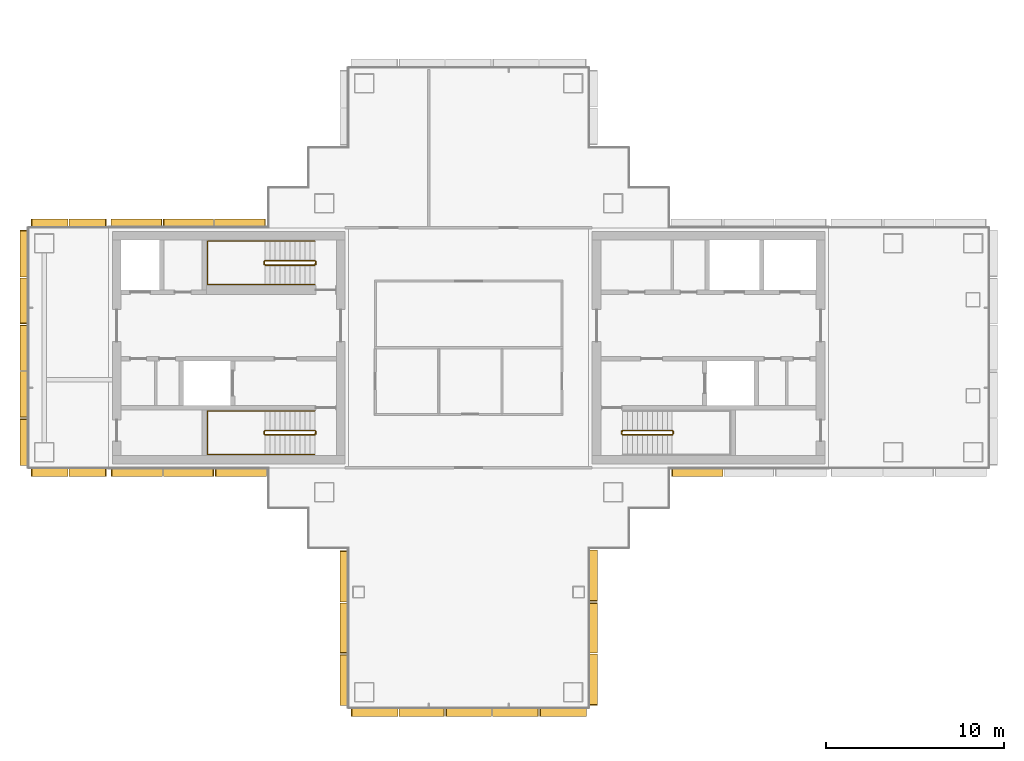
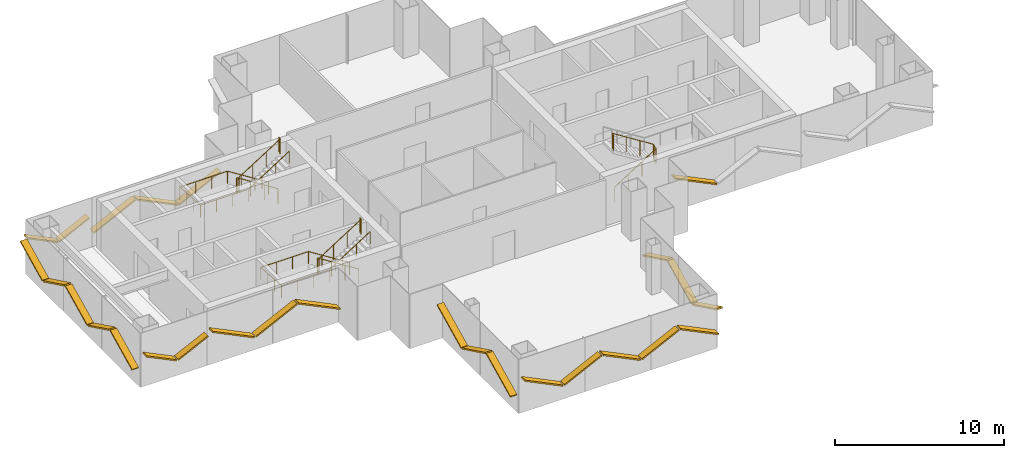
# One storey, part 14 of 16: 27 shading devices, 5 railings.
"""IFC4 building model written with IfcOpenShell, lengths in metres."""

from ifc_helpers import new_model, si_unit, direction, frame, origin, origin_2d, place, context, subcontext, project, spatial, rectangle, circle, extrude, material, material_profile, profile_set, type_object, element, save


model = new_model("IFC4")

# Units and contexts
model_context = context("Model", 3, precision=1e-05, world=origin(), true_north=direction((0.0, 1.0)))
body_context = subcontext(model_context, "Body", "Model", "MODEL_VIEW")
ifc_project = project(units=[si_unit("LENGTHUNIT", "METRE"), si_unit("AREAUNIT", "SQUARE_METRE"), si_unit("VOLUMEUNIT", "CUBIC_METRE"), si_unit("PLANEANGLEUNIT", "RADIAN"), si_unit("MASSUNIT", "GRAM", prefix="KILO")], contexts=[model_context])

# Site, building, storey
site_placement = place(None, origin())
site = spatial("IfcSite", under=ifc_project, at=site_placement, CompositionType="ELEMENT")
building_placement = place(site_placement, origin())
building = spatial("IfcBuilding", under=site, at=building_placement, Name="Shamsa Quay Exchange Towers", CompositionType="ELEMENT")
storey_placement = place(building_placement, frame((0.0, 0.0, 162.300048828125)))
storey = spatial("IfcBuildingStorey", under=building, at=storey_placement, Name="L38", CompositionType="ELEMENT", Elevation=162.300048828125)

# Shading devices
ifc_material_1 = material(Name="Aluminium EN AW-6063 T6, black anodised", Category="aluminium")
ifc_material_profile = material_profile(ifc_material_1, rectangle(XDim=0.449951171875, YDim=0.10009765625, at=origin_2d()), Name="FIN450x100")
ifc_profile_set = profile_set([ifc_material_profile], Name="Aluminium EN AW-6063 T6, black anodised")
shading_device_type = type_object("IfcShadingDeviceType", Name="FIN 450x100 BLACK ALUMINIUM", PredefinedType="USERDEFINED", material=ifc_profile_set)
shading_device_1_placement = place(storey_placement, frame((-40.764892578125, -11.43798828125, 2.2919921875), z_axis=(0.0, -0.898776621123, -0.438406871893), x_axis=(1.0, 0.0, 0.0)))
element("IfcShadingDevice", 1, at=shading_device_1_placement, inside=storey, type_object=shading_device_type, Name="FIN T1 chevron rib", ObjectType="FIN", PredefinedType="USERDEFINED", context=body_context, shape_type="SweptSolid", body=[
    extrude(rectangle(XDim=0.449951171875, YDim=0.10009765625, at=origin_2d()), origin(), (0.0, 0.0, 1.0), 3.156982421875),
])
shading_device_2_placement = place(storey_placement, frame((-40.764892578125, -14.375244140625, 0.920166015625), z_axis=(0.0, -0.898776767917, 0.43840657095), x_axis=(1.0, 0.0, 0.0)))
element("IfcShadingDevice", 2, at=shading_device_2_placement, inside=storey, type_object=shading_device_type, Name="FIN T1 chevron rib", ObjectType="FIN", PredefinedType="USERDEFINED", context=body_context, shape_type="SweptSolid", body=[
    extrude(rectangle(XDim=0.449951171875, YDim=0.10009765625, at=origin_2d()), origin(), (0.0, 0.0, 1.0), 3.101318359375),
])
shading_device_3_placement = place(storey_placement, frame((-40.764892578125, -17.2626953125, 2.2919921875), z_axis=(0.0, -0.898776621123, -0.438406871893), x_axis=(1.0, 0.0, 0.0)))
element("IfcShadingDevice", 3, at=shading_device_3_placement, inside=storey, type_object=shading_device_type, Name="FIN T1 chevron rib", ObjectType="FIN", PredefinedType="USERDEFINED", context=body_context, shape_type="SweptSolid", body=[
    extrude(rectangle(XDim=0.449951171875, YDim=0.10009765625, at=origin_2d()), origin(), (0.0, 0.0, 1.0), 3.156982421875),
])
shading_device_4_placement = place(storey_placement, frame((-40.35009765625, -20.514892578125, 2.2314453125), z_axis=(0.898805897141, 0.0, -0.43834684813), x_axis=(0.0, 1.0, 0.0)))
element("IfcShadingDevice", 4, at=shading_device_4_placement, inside=storey, type_object=shading_device_type, Name="FIN T1 chevron rib", ObjectType="FIN", PredefinedType="USERDEFINED", context=body_context, shape_type="SweptSolid", body=[
    extrude(rectangle(XDim=0.449951171875, YDim=0.10009765625, at=origin_2d()), origin(), (0.0, 0.0, 1.0), 2.881591796875),
])
shading_device_5_placement = place(storey_placement, frame((-37.659912109375, -20.514892578125, 0.98046875), z_axis=(0.898755990607, 0.0, 0.438449163927), x_axis=(0.0, 1.0, 0.0)))
element("IfcShadingDevice", 5, at=shading_device_5_placement, inside=storey, type_object=shading_device_type, Name="FIN T1 chevron rib", ObjectType="FIN", PredefinedType="USERDEFINED", context=body_context, shape_type="SweptSolid", body=[
    extrude(rectangle(XDim=0.449951171875, YDim=0.10009765625, at=origin_2d()), origin(), (0.0, 0.0, 1.0), 2.825927734375),
])
shading_device_6_placement = place(storey_placement, frame((-35.02001953125, -20.514892578125, 2.219482421875), z_axis=(0.898772596839, 0.0, -0.438415121968), x_axis=(0.0, 1.0, 0.0)))
element("IfcShadingDevice", 6, at=shading_device_6_placement, inside=storey, type_object=shading_device_type, Name="FIN T1 chevron rib", ObjectType="FIN", PredefinedType="USERDEFINED", context=body_context, shape_type="SweptSolid", body=[
    extrude(rectangle(XDim=0.449951171875, YDim=0.10009765625, at=origin_2d()), origin(), (0.0, 0.0, 1.0), 2.826171875),
])
shading_device_7_placement = place(storey_placement, frame((-32.3798828125, -20.514892578125, 0.98046875), z_axis=(0.898755990607, 0.0, 0.438449163927), x_axis=(0.0, 1.0, 0.0)))
element("IfcShadingDevice", 7, at=shading_device_7_placement, inside=storey, type_object=shading_device_type, Name="FIN T1 chevron rib", ObjectType="FIN", PredefinedType="USERDEFINED", context=body_context, shape_type="SweptSolid", body=[
    extrude(rectangle(XDim=0.449951171875, YDim=0.10009765625, at=origin_2d()), origin(), (0.0, 0.0, 1.0), 2.825927734375),
])
shading_device_8_placement = place(storey_placement, frame((-29.739990234375, -20.514892578125, 2.2314453125), z_axis=(0.898805897141, 0.0, -0.43834684813), x_axis=(0.0, 1.0, 0.0)))
element("IfcShadingDevice", 8, at=shading_device_8_placement, inside=storey, type_object=shading_device_type, Name="FIN T1 chevron rib", ObjectType="FIN", PredefinedType="USERDEFINED", context=body_context, shape_type="SweptSolid", body=[
    extrude(rectangle(XDim=0.449951171875, YDim=0.10009765625, at=origin_2d()), origin(), (0.0, 0.0, 1.0), 2.881591796875),
])
shading_device_9_placement = place(storey_placement, frame((-26.735107421875, -20.10009765625, 2.294921875), z_axis=(0.0, 0.898818017417, -0.438321995302), x_axis=(-1.0, 0.0, 0.0)))
element("IfcShadingDevice", 9, at=shading_device_9_placement, inside=storey, type_object=shading_device_type, Name="FIN T1 chevron rib", ObjectType="FIN", PredefinedType="USERDEFINED", context=body_context, shape_type="SweptSolid", body=[
    extrude(rectangle(XDim=0.449951171875, YDim=0.10009765625, at=origin_2d()), origin(), (0.0, 0.0, 1.0), 3.1708984375),
])
shading_device_10_placement = place(storey_placement, frame((-26.735107421875, -17.14990234375, 0.917236328125), z_axis=(0.0, 0.898803845139, 0.438351055621), x_axis=(-1.0, 0.0, 0.0)))
element("IfcShadingDevice", 10, at=shading_device_10_placement, inside=storey, type_object=shading_device_type, Name="FIN T1 chevron rib", ObjectType="FIN", PredefinedType="USERDEFINED", context=body_context, shape_type="SweptSolid", body=[
    extrude(rectangle(XDim=0.449951171875, YDim=0.10009765625, at=origin_2d()), origin(), (0.0, 0.0, 1.0), 3.114990234375),
])
shading_device_11_placement = place(storey_placement, frame((-26.735107421875, -14.25, 2.294921875), z_axis=(0.0, 0.898818017417, -0.438321995302), x_axis=(-1.0, 0.0, 0.0)))
element("IfcShadingDevice", 11, at=shading_device_11_placement, inside=storey, type_object=shading_device_type, Name="FIN T1 chevron rib", ObjectType="FIN", PredefinedType="USERDEFINED", context=body_context, shape_type="SweptSolid", body=[
    extrude(rectangle(XDim=0.449951171875, YDim=0.10009765625, at=origin_2d()), origin(), (0.0, 0.0, 1.0), 3.1708984375),
])
for number, where, z_axis, x_axis, name in (
    (12, (-22.31201171875, -7.01904296875, 2.2919921875), (0.898776621123, 0.0, -0.438406871893), (0.0, 1.0, 0.0), "FIN T1 chevron rib"),
    (13, (-45.18798828125, 7.01904296875, 2.2919921875), (-0.898776621123, 0.0, -0.438406871893), (0.0, -1.0, 0.0), "FIN T1 chevron rib"),
):
    element("IfcShadingDevice", number, at=place(storey_placement, frame(where, z_axis=z_axis, x_axis=x_axis)), inside=storey, type_object=shading_device_type, Name=name, ObjectType="FIN", PredefinedType="USERDEFINED", context=body_context, shape_type="SweptSolid", body=[
        extrude(rectangle(XDim=0.449951171875, YDim=0.10009765625, at=origin_2d()), origin(), (0.0, 0.0, 1.0), 3.156982421875),
    ])
shading_device_12_placement = place(storey_placement, frame((-48.125244140625, 7.01904296875, 0.920166015625), z_axis=(-0.898776767917, 0.0, 0.43840657095), x_axis=(0.0, -1.0, 0.0)))
element("IfcShadingDevice", 14, at=shading_device_12_placement, inside=storey, type_object=shading_device_type, Name="FIN T1 chevron rib", ObjectType="FIN", PredefinedType="USERDEFINED", context=body_context, shape_type="SweptSolid", body=[
    extrude(rectangle(XDim=0.449951171875, YDim=0.10009765625, at=origin_2d()), origin(), (0.0, 0.0, 1.0), 3.101318359375),
])
shading_device_13_placement = place(storey_placement, frame((-51.0126953125, 7.01904296875, 2.2919921875), z_axis=(-0.898776621123, 0.0, -0.438406871893), x_axis=(0.0, -1.0, 0.0)))
element("IfcShadingDevice", 15, at=shading_device_13_placement, inside=storey, type_object=shading_device_type, Name="FIN T1 chevron rib", ObjectType="FIN", PredefinedType="USERDEFINED", context=body_context, shape_type="SweptSolid", body=[
    extrude(rectangle(XDim=0.449951171875, YDim=0.10009765625, at=origin_2d()), origin(), (0.0, 0.0, 1.0), 3.156982421875),
])
for number, where, z_axis, x_axis, name in (
    (16, (-54.14990234375, 7.014892578125, 2.099853515625), (-0.898814733754, 0.0, -0.43832872868), (0.0, -1.0, 0.0), "FIN T1 chevron rib"),
    (17, (-56.300048828125, 7.014892578125, 1.10009765625), (-0.898814733754, 0.0, 0.43832872868), (0.0, -1.0, 0.0), "FIN T1 chevron rib"),
):
    element("IfcShadingDevice", number, at=place(storey_placement, frame(where, z_axis=z_axis, x_axis=x_axis)), inside=storey, type_object=shading_device_type, Name=name, ObjectType="FIN", PredefinedType="USERDEFINED", context=body_context, shape_type="SweptSolid", body=[
        extrude(rectangle(XDim=0.449951171875, YDim=0.10009765625, at=origin_2d()), origin(), (0.0, 0.0, 1.0), 2.28076171875),
    ])
shading_device_14_placement = place(storey_placement, frame((-58.764892578125, 6.60009765625, 2.2314453125), z_axis=(0.0, -0.898805897141, -0.43834684813), x_axis=(1.0, 0.0, 0.0)))
element("IfcShadingDevice", 18, at=shading_device_14_placement, inside=storey, type_object=shading_device_type, Name="FIN T1 chevron rib", ObjectType="FIN", PredefinedType="USERDEFINED", context=body_context, shape_type="SweptSolid", body=[
    extrude(rectangle(XDim=0.449951171875, YDim=0.10009765625, at=origin_2d()), origin(), (0.0, 0.0, 1.0), 2.881591796875),
])
shading_device_15_placement = place(storey_placement, frame((-58.764892578125, 3.909912109375, 0.98046875), z_axis=(0.0, -0.898755990607, 0.438449163927), x_axis=(1.0, 0.0, 0.0)))
element("IfcShadingDevice", 19, at=shading_device_15_placement, inside=storey, type_object=shading_device_type, Name="FIN T1 chevron rib", ObjectType="FIN", PredefinedType="USERDEFINED", context=body_context, shape_type="SweptSolid", body=[
    extrude(rectangle(XDim=0.449951171875, YDim=0.10009765625, at=origin_2d()), origin(), (0.0, 0.0, 1.0), 2.825927734375),
])
shading_device_16_placement = place(storey_placement, frame((-58.764892578125, 1.27001953125, 2.219482421875), z_axis=(0.0, -0.898772596839, -0.438415121968), x_axis=(1.0, 0.0, 0.0)))
element("IfcShadingDevice", 20, at=shading_device_16_placement, inside=storey, type_object=shading_device_type, Name="FIN T1 chevron rib", ObjectType="FIN", PredefinedType="USERDEFINED", context=body_context, shape_type="SweptSolid", body=[
    extrude(rectangle(XDim=0.449951171875, YDim=0.10009765625, at=origin_2d()), origin(), (0.0, 0.0, 1.0), 2.826171875),
])
shading_device_17_placement = place(storey_placement, frame((-58.764892578125, -1.3701171875, 0.98046875), z_axis=(0.0, -0.898755990607, 0.438449163927), x_axis=(1.0, 0.0, 0.0)))
element("IfcShadingDevice", 21, at=shading_device_17_placement, inside=storey, type_object=shading_device_type, Name="FIN T1 chevron rib", ObjectType="FIN", PredefinedType="USERDEFINED", context=body_context, shape_type="SweptSolid", body=[
    extrude(rectangle(XDim=0.449951171875, YDim=0.10009765625, at=origin_2d()), origin(), (0.0, 0.0, 1.0), 2.825927734375),
])
shading_device_18_placement = place(storey_placement, frame((-58.764892578125, -4.010009765625, 2.2314453125), z_axis=(0.0, -0.898805897141, -0.43834684813), x_axis=(1.0, 0.0, 0.0)))
element("IfcShadingDevice", 22, at=shading_device_18_placement, inside=storey, type_object=shading_device_type, Name="FIN T1 chevron rib", ObjectType="FIN", PredefinedType="USERDEFINED", context=body_context, shape_type="SweptSolid", body=[
    extrude(rectangle(XDim=0.449951171875, YDim=0.10009765625, at=origin_2d()), origin(), (0.0, 0.0, 1.0), 2.881591796875),
])
for number, where, z_axis, x_axis, name in (
    (23, (-58.35009765625, -7.014892578125, 2.099853515625), (0.898814733754, 0.0, -0.43832872868), (0.0, 1.0, 0.0), "FIN T1 chevron rib"),
    (24, (-56.199951171875, -7.014892578125, 1.10009765625), (0.898814733754, 0.0, 0.43832872868), (0.0, 1.0, 0.0), "FIN T1 chevron rib"),
):
    element("IfcShadingDevice", number, at=place(storey_placement, frame(where, z_axis=z_axis, x_axis=x_axis)), inside=storey, type_object=shading_device_type, Name=name, ObjectType="FIN", PredefinedType="USERDEFINED", context=body_context, shape_type="SweptSolid", body=[
        extrude(rectangle(XDim=0.449951171875, YDim=0.10009765625, at=origin_2d()), origin(), (0.0, 0.0, 1.0), 2.28076171875),
    ])
shading_device_19_placement = place(storey_placement, frame((-53.85009765625, -7.01904296875, 2.294921875), z_axis=(0.898818017417, 0.0, -0.438321995302), x_axis=(0.0, 1.0, 0.0)))
element("IfcShadingDevice", 25, at=shading_device_19_placement, inside=storey, type_object=shading_device_type, Name="FIN T1 chevron rib", ObjectType="FIN", PredefinedType="USERDEFINED", context=body_context, shape_type="SweptSolid", body=[
    extrude(rectangle(XDim=0.449951171875, YDim=0.10009765625, at=origin_2d()), origin(), (0.0, 0.0, 1.0), 3.1708984375),
])
shading_device_20_placement = place(storey_placement, frame((-50.89990234375, -7.01904296875, 0.917236328125), z_axis=(0.898803845139, 0.0, 0.438351055621), x_axis=(0.0, 1.0, 0.0)))
element("IfcShadingDevice", 26, at=shading_device_20_placement, inside=storey, type_object=shading_device_type, Name="FIN T1 chevron rib", ObjectType="FIN", PredefinedType="USERDEFINED", context=body_context, shape_type="SweptSolid", body=[
    extrude(rectangle(XDim=0.449951171875, YDim=0.10009765625, at=origin_2d()), origin(), (0.0, 0.0, 1.0), 3.114990234375),
])
shading_device_21_placement = place(storey_placement, frame((-48.0, -7.01904296875, 2.294921875), z_axis=(0.898818017417, 0.0, -0.438321995302), x_axis=(0.0, 1.0, 0.0)))
element("IfcShadingDevice", 27, at=shading_device_21_placement, inside=storey, type_object=shading_device_type, Name="FIN T1 chevron rib", ObjectType="FIN", PredefinedType="USERDEFINED", context=body_context, shape_type="SweptSolid", body=[
    extrude(rectangle(XDim=0.449951171875, YDim=0.10009765625, at=origin_2d()), origin(), (0.0, 0.0, 1.0), 3.1708984375),
])

# Railings
ifc_material_2 = material(Name="Stainless steel", Category="steel")
railing_type_1 = type_object("IfcRailingType", Name="STAIR GUARD 1100", PredefinedType="GUARDRAIL", material=ifc_material_2)
railing_1_placement = place(storey_placement, frame((-25.10009765625, -4.89990234375, 0.17724609375)))
element("IfcRailing", 28, at=railing_1_placement, inside=storey, type_object=railing_type_1, Name="L38 ST1 stair guard 1", PredefinedType="GUARDRAIL", context=body_context, shape_type="SweptSolid", body=[
    extrude(circle(Radius=0.02392578125, at=origin_2d()), frame((0.0, 0.0, 1.076171875), z_axis=(0.844908973607, 0.0, 0.534910110503), x_axis=(0.0, 1.0, 0.0)), (0.0, 0.0, 1.0), 3.31396484375),
    extrude(circle(Radius=0.02392578125, at=origin_2d()), frame((2.800048828125, 0.0, 2.8486328125), z_axis=(0.708833529934, 0.705375805398, 0.0), x_axis=(-0.705375805398, 0.708833529934, 0.0)), (0.0, 0.0, 1.0), 0.070556640625),
    extrude(circle(Radius=0.02392578125, at=origin_2d()), frame((2.85009765625, 0.0498046875, 2.8486328125), z_axis=(0.0, 1.0, 0.0), x_axis=(-1.0, 0.0, 0.0)), (0.0, 0.0, 1.0), 0.150146484375),
    extrude(circle(Radius=0.02392578125, at=origin_2d()), frame((2.85009765625, 0.199951171875, 2.8486328125), z_axis=(-0.262233686654, 0.262233686654, 0.928691007369), x_axis=(-0.707106781187, -0.707106781187, 0.0)), (0.0, 0.0, 1.0), 0.19091796875),
    extrude(circle(Radius=0.02392578125, at=origin_2d()), frame((2.800048828125, 0.25, 3.02587890625), z_axis=(-0.844908973607, 0.0, 0.534910110503), x_axis=(0.0, -1.0, 0.0)), (0.0, 0.0, 1.0), 3.31396484375),
    extrude(circle(Radius=0.02392578125, at=origin_2d()), frame((0.0, 0.25, 4.798828125), z_axis=(-0.24142163986, -0.970420317083, 0.0), x_axis=(0.970420317083, -0.24142163986, 0.0)), (0.0, 0.0, 1.0), 0.206298828125),
    extrude(circle(Radius=0.02392578125, at=origin_2d()), frame((-0.0498046875, 0.0498046875, 4.798828125), z_axis=(0.0, 1.0, 0.0), x_axis=(-1.0, 0.0, 0.0)), (0.0, 0.0, 1.0), 0.150146484375),
    extrude(circle(Radius=0.02099609375, at=origin_2d()), origin(), (0.0, 0.0, 1.0), 1.052001953125),
    extrude(circle(Radius=0.02099609375, at=origin_2d()), frame((0.933349609375, 0.0, 0.5908203125)), (0.0, 0.0, 1.0), 1.052001953125),
    extrude(circle(Radius=0.02099609375, at=origin_2d()), frame((1.86669921875, 0.0, 1.181884765625)), (0.0, 0.0, 1.0), 1.052001953125),
    extrude(circle(Radius=0.02099609375, at=origin_2d()), frame((2.800048828125, 0.0, 1.772705078125)), (0.0, 0.0, 1.0), 1.052001953125),
    extrude(circle(Radius=0.02099609375, at=origin_2d()), frame((2.85009765625, 0.0498046875, 1.772705078125)), (0.0, 0.0, 1.0), 1.052001953125),
    extrude(circle(Radius=0.02099609375, at=origin_2d()), frame((2.85009765625, 0.199951171875, 1.772705078125)), (0.0, 0.0, 1.0), 1.052001953125),
    extrude(circle(Radius=0.02099609375, at=origin_2d()), frame((2.800048828125, 0.25, 1.949951171875)), (0.0, 0.0, 1.0), 1.052001953125),
    extrude(circle(Radius=0.02099609375, at=origin_2d()), frame((1.86669921875, 0.25, 2.540771484375)), (0.0, 0.0, 1.0), 1.052001953125),
    extrude(circle(Radius=0.02099609375, at=origin_2d()), frame((0.933349609375, 0.25, 3.1318359375)), (0.0, 0.0, 1.0), 1.052001953125),
    extrude(circle(Radius=0.02099609375, at=origin_2d()), frame((0.0, 0.25, 3.72265625)), (0.0, 0.0, 1.0), 1.052001953125),
    extrude(circle(Radius=0.02099609375, at=origin_2d()), frame((-0.0498046875, 0.0498046875, 3.72265625)), (0.0, 0.0, 1.0), 1.052001953125),
    extrude(circle(Radius=0.02099609375, at=origin_2d()), frame((-0.0498046875, 0.199951171875, 3.72265625)), (0.0, 0.0, 1.0), 1.052001953125),
])
railing_2_placement = place(storey_placement, frame((-42.39990234375, -4.64990234375, 0.17724609375)))
element("IfcRailing", 29, at=railing_2_placement, inside=storey, type_object=railing_type_1, Name="L38 ST2 stair guard 1", PredefinedType="GUARDRAIL", context=body_context, shape_type="SweptSolid", body=[
    extrude(circle(Radius=0.02392578125, at=origin_2d()), frame((0.0, 0.0, 1.076171875), z_axis=(-0.844908973607, 0.0, 0.534910110503), x_axis=(0.0, -1.0, 0.0)), (0.0, 0.0, 1.0), 3.31396484375),
    extrude(circle(Radius=0.02392578125, at=origin_2d()), frame((-2.800048828125, 0.0, 2.8486328125), z_axis=(-0.707106781187, -0.707106781187, 0.0), x_axis=(0.707106781187, -0.707106781187, 0.0)), (0.0, 0.0, 1.0), 0.07080078125),
    extrude(circle(Radius=0.02392578125, at=origin_2d()), frame((-2.85009765625, -0.050048828125, 2.8486328125), z_axis=(0.0, -1.0, 0.0), x_axis=(1.0, 0.0, 0.0)), (0.0, 0.0, 1.0), 0.150146484375),
    extrude(circle(Radius=0.02392578125, at=origin_2d()), frame((-2.85009765625, -0.2001953125, 2.8486328125), z_axis=(0.262321481514, -0.261041864531, 0.929001929653), x_axis=(0.705375805398, 0.708833529934, 0.0)), (0.0, 0.0, 1.0), 0.190673828125),
    extrude(circle(Radius=0.02392578125, at=origin_2d()), frame((-2.800048828125, -0.25, 3.02587890625), z_axis=(0.844908973607, 0.0, 0.534910110503), x_axis=(0.0, 1.0, 0.0)), (0.0, 0.0, 1.0), 3.31396484375),
    extrude(circle(Radius=0.02392578125, at=origin_2d()), frame((0.0, -0.25, 4.798828125), z_axis=(0.241699205484, 0.970351222016, 0.0), x_axis=(-0.970351222016, 0.241699205484, 0.0)), (0.0, 0.0, 1.0), 0.2060546875),
    extrude(circle(Radius=0.02392578125, at=origin_2d()), frame((0.0498046875, -0.050048828125, 4.798828125), z_axis=(0.0, -1.0, 0.0), x_axis=(1.0, 0.0, 0.0)), (0.0, 0.0, 1.0), 0.150146484375),
    extrude(circle(Radius=0.02099609375, at=origin_2d()), origin(), (0.0, 0.0, 1.0), 1.052001953125),
    extrude(circle(Radius=0.02099609375, at=origin_2d()), frame((-0.933349609375, 0.0, 0.5908203125)), (0.0, 0.0, 1.0), 1.052001953125),
    extrude(circle(Radius=0.02099609375, at=origin_2d()), frame((-1.86669921875, 0.0, 1.181884765625)), (0.0, 0.0, 1.0), 1.052001953125),
    extrude(circle(Radius=0.02099609375, at=origin_2d()), frame((-2.800048828125, 0.0, 1.772705078125)), (0.0, 0.0, 1.0), 1.052001953125),
    extrude(circle(Radius=0.02099609375, at=origin_2d()), frame((-2.85009765625, -0.050048828125, 1.772705078125)), (0.0, 0.0, 1.0), 1.052001953125),
    extrude(circle(Radius=0.02099609375, at=origin_2d()), frame((-2.85009765625, -0.2001953125, 1.772705078125)), (0.0, 0.0, 1.0), 1.052001953125),
    extrude(circle(Radius=0.02099609375, at=origin_2d()), frame((-2.800048828125, -0.25, 1.949951171875)), (0.0, 0.0, 1.0), 1.052001953125),
    extrude(circle(Radius=0.02099609375, at=origin_2d()), frame((-1.86669921875, -0.25, 2.540771484375)), (0.0, 0.0, 1.0), 1.052001953125),
    extrude(circle(Radius=0.02099609375, at=origin_2d()), frame((-0.933349609375, -0.25, 3.1318359375)), (0.0, 0.0, 1.0), 1.052001953125),
    extrude(circle(Radius=0.02099609375, at=origin_2d()), frame((0.0, -0.25, 3.72265625)), (0.0, 0.0, 1.0), 1.052001953125),
    extrude(circle(Radius=0.02099609375, at=origin_2d()), frame((0.0498046875, -0.050048828125, 3.72265625)), (0.0, 0.0, 1.0), 1.052001953125),
    extrude(circle(Radius=0.02099609375, at=origin_2d()), frame((0.0498046875, -0.2001953125, 3.72265625)), (0.0, 0.0, 1.0), 1.052001953125),
])
railing_3_placement = place(storey_placement, frame((-42.39990234375, 4.89990234375, 0.17724609375)))
element("IfcRailing", 30, at=railing_3_placement, inside=storey, type_object=railing_type_1, Name="L38 ST3 stair guard 1", PredefinedType="GUARDRAIL", context=body_context, shape_type="SweptSolid", body=[
    extrude(circle(Radius=0.02392578125, at=origin_2d()), frame((0.0, 0.0, 1.076171875), z_axis=(-0.844908973607, 0.0, 0.534910110503), x_axis=(0.0, -1.0, 0.0)), (0.0, 0.0, 1.0), 3.31396484375),
    extrude(circle(Radius=0.02392578125, at=origin_2d()), frame((-2.800048828125, 0.0, 2.8486328125), z_axis=(-0.708833529934, -0.705375805398, 0.0), x_axis=(0.705375805398, -0.708833529934, 0.0)), (0.0, 0.0, 1.0), 0.070556640625),
    extrude(circle(Radius=0.02392578125, at=origin_2d()), frame((-2.85009765625, -0.0498046875, 2.8486328125), z_axis=(0.0, -1.0, 0.0), x_axis=(1.0, 0.0, 0.0)), (0.0, 0.0, 1.0), 0.150146484375),
    extrude(circle(Radius=0.02392578125, at=origin_2d()), frame((-2.85009765625, -0.199951171875, 2.8486328125), z_axis=(0.262233686654, -0.262233686654, 0.928691007369), x_axis=(0.707106781187, 0.707106781187, 0.0)), (0.0, 0.0, 1.0), 0.19091796875),
    extrude(circle(Radius=0.02392578125, at=origin_2d()), frame((-2.800048828125, -0.25, 3.02587890625), z_axis=(0.844908973607, 0.0, 0.534910110503), x_axis=(0.0, 1.0, 0.0)), (0.0, 0.0, 1.0), 3.31396484375),
    extrude(circle(Radius=0.02392578125, at=origin_2d()), frame((0.0, -0.25, 4.798828125), z_axis=(0.24142163986, 0.970420317083, 0.0), x_axis=(-0.970420317083, 0.24142163986, 0.0)), (0.0, 0.0, 1.0), 0.206298828125),
    extrude(circle(Radius=0.02392578125, at=origin_2d()), frame((0.0498046875, -0.0498046875, 4.798828125), z_axis=(0.0, -1.0, 0.0), x_axis=(1.0, 0.0, 0.0)), (0.0, 0.0, 1.0), 0.150146484375),
    extrude(circle(Radius=0.02099609375, at=origin_2d()), origin(), (0.0, 0.0, 1.0), 1.052001953125),
    extrude(circle(Radius=0.02099609375, at=origin_2d()), frame((-0.933349609375, 0.0, 0.5908203125)), (0.0, 0.0, 1.0), 1.052001953125),
    extrude(circle(Radius=0.02099609375, at=origin_2d()), frame((-1.86669921875, 0.0, 1.181884765625)), (0.0, 0.0, 1.0), 1.052001953125),
    extrude(circle(Radius=0.02099609375, at=origin_2d()), frame((-2.800048828125, 0.0, 1.772705078125)), (0.0, 0.0, 1.0), 1.052001953125),
    extrude(circle(Radius=0.02099609375, at=origin_2d()), frame((-2.85009765625, -0.0498046875, 1.772705078125)), (0.0, 0.0, 1.0), 1.052001953125),
    extrude(circle(Radius=0.02099609375, at=origin_2d()), frame((-2.85009765625, -0.199951171875, 1.772705078125)), (0.0, 0.0, 1.0), 1.052001953125),
    extrude(circle(Radius=0.02099609375, at=origin_2d()), frame((-2.800048828125, -0.25, 1.949951171875)), (0.0, 0.0, 1.0), 1.052001953125),
    extrude(circle(Radius=0.02099609375, at=origin_2d()), frame((-1.86669921875, -0.25, 2.540771484375)), (0.0, 0.0, 1.0), 1.052001953125),
    extrude(circle(Radius=0.02099609375, at=origin_2d()), frame((-0.933349609375, -0.25, 3.1318359375)), (0.0, 0.0, 1.0), 1.052001953125),
    extrude(circle(Radius=0.02099609375, at=origin_2d()), frame((0.0, -0.25, 3.72265625)), (0.0, 0.0, 1.0), 1.052001953125),
    extrude(circle(Radius=0.02099609375, at=origin_2d()), frame((0.0498046875, -0.0498046875, 3.72265625)), (0.0, 0.0, 1.0), 1.052001953125),
    extrude(circle(Radius=0.02099609375, at=origin_2d()), frame((0.0498046875, -0.199951171875, 3.72265625)), (0.0, 0.0, 1.0), 1.052001953125),
])
railing_type_2 = type_object("IfcRailingType", Name="STAIR HANDRAIL 900", PredefinedType="HANDRAIL", material=ifc_material_2)
railing_4_placement = place(storey_placement, frame((-42.39990234375, -3.550048828125, 0.17724609375)))
element("IfcRailing", 31, at=railing_4_placement, inside=storey, type_object=railing_type_2, Name="L38 ST2 stair handrail 1", PredefinedType="HANDRAIL", context=body_context, shape_type="SweptSolid", body=[
    extrude(circle(Radius=0.02392578125, at=origin_2d()), frame((0.0, 0.0, 0.8759765625), z_axis=(-0.844908973607, 0.0, 0.534910110503), x_axis=(0.0, -1.0, 0.0)), (0.0, 0.0, 1.0), 3.31396484375),
    extrude(circle(Radius=0.02392578125, at=origin_2d()), frame((-2.800048828125, 0.0, 2.6484375), z_axis=(-1.0, 0.0, 0.0), x_axis=(0.0, -1.0, 0.0)), (0.0, 0.0, 1.0), 3.25),
    extrude(circle(Radius=0.02392578125, at=origin_2d()), frame((-6.050048828125, 0.0, 2.6484375), z_axis=(0.0, -0.997393199914, 0.07215819264), x_axis=(1.0, 0.0, 0.0)), (0.0, 0.0, 1.0), 2.456298828125),
    extrude(circle(Radius=0.02392578125, at=origin_2d()), frame((-6.050048828125, -2.449951171875, 2.82568359375), z_axis=(1.0, 0.0, 0.0), x_axis=(0.0, 1.0, 0.0)), (0.0, 0.0, 1.0), 3.25),
    extrude(circle(Radius=0.02392578125, at=origin_2d()), frame((-2.800048828125, -2.449951171875, 2.82568359375), z_axis=(0.844908973607, 0.0, 0.534910110503), x_axis=(0.0, 1.0, 0.0)), (0.0, 0.0, 1.0), 3.31396484375),
    extrude(circle(Radius=0.02099609375, at=origin_2d()), origin(), (0.0, 0.0, 1.0), 0.851806640625),
    extrude(circle(Radius=0.02099609375, at=origin_2d()), frame((-0.933349609375, 0.0, 0.5908203125)), (0.0, 0.0, 1.0), 0.851806640625),
    extrude(circle(Radius=0.02099609375, at=origin_2d()), frame((-1.86669921875, 0.0, 1.181884765625)), (0.0, 0.0, 1.0), 0.851806640625),
    extrude(circle(Radius=0.02099609375, at=origin_2d()), frame((-2.800048828125, 0.0, 1.772705078125)), (0.0, 0.0, 1.0), 0.851806640625),
    extrude(circle(Radius=0.02099609375, at=origin_2d()), frame((-3.88330078125, 0.0, 1.772705078125)), (0.0, 0.0, 1.0), 0.851806640625),
    extrude(circle(Radius=0.02099609375, at=origin_2d()), frame((-4.966796875, 0.0, 1.772705078125)), (0.0, 0.0, 1.0), 0.851806640625),
    extrude(circle(Radius=0.02099609375, at=origin_2d()), frame((-6.050048828125, 0.0, 1.772705078125)), (0.0, 0.0, 1.0), 0.851806640625),
    extrude(circle(Radius=0.02099609375, at=origin_2d()), frame((-6.050048828125, -0.816650390625, 1.831787109375)), (0.0, 0.0, 1.0), 0.851806640625),
    extrude(circle(Radius=0.02099609375, at=origin_2d()), frame((-6.050048828125, -1.63330078125, 1.890869140625)), (0.0, 0.0, 1.0), 0.851806640625),
    extrude(circle(Radius=0.02099609375, at=origin_2d()), frame((-6.050048828125, -2.449951171875, 1.949951171875)), (0.0, 0.0, 1.0), 0.851806640625),
    extrude(circle(Radius=0.02099609375, at=origin_2d()), frame((-4.966796875, -2.449951171875, 1.949951171875)), (0.0, 0.0, 1.0), 0.851806640625),
    extrude(circle(Radius=0.02099609375, at=origin_2d()), frame((-3.88330078125, -2.449951171875, 1.949951171875)), (0.0, 0.0, 1.0), 0.851806640625),
    extrude(circle(Radius=0.02099609375, at=origin_2d()), frame((-2.800048828125, -2.449951171875, 1.949951171875)), (0.0, 0.0, 1.0), 0.851806640625),
    extrude(circle(Radius=0.02099609375, at=origin_2d()), frame((-1.86669921875, -2.449951171875, 2.540771484375)), (0.0, 0.0, 1.0), 0.851806640625),
    extrude(circle(Radius=0.02099609375, at=origin_2d()), frame((-0.933349609375, -2.449951171875, 3.1318359375)), (0.0, 0.0, 1.0), 0.851806640625),
    extrude(circle(Radius=0.02099609375, at=origin_2d()), frame((0.0, -2.449951171875, 3.72265625)), (0.0, 0.0, 1.0), 0.851806640625),
])
railing_5_placement = place(storey_placement, frame((-42.39990234375, 6.0, 0.17724609375)))
element("IfcRailing", 32, at=railing_5_placement, inside=storey, type_object=railing_type_2, Name="L38 ST3 stair handrail 1", PredefinedType="HANDRAIL", context=body_context, shape_type="SweptSolid", body=[
    extrude(circle(Radius=0.02392578125, at=origin_2d()), frame((0.0, 0.0, 0.8759765625), z_axis=(-0.844908973607, 0.0, 0.534910110503), x_axis=(0.0, -1.0, 0.0)), (0.0, 0.0, 1.0), 3.31396484375),
    extrude(circle(Radius=0.02392578125, at=origin_2d()), frame((-2.800048828125, 0.0, 2.6484375), z_axis=(-1.0, 0.0, 0.0), x_axis=(0.0, -1.0, 0.0)), (0.0, 0.0, 1.0), 3.25),
    extrude(circle(Radius=0.02392578125, at=origin_2d()), frame((-6.050048828125, 0.0, 2.6484375), z_axis=(0.0, -0.997393199914, 0.07215819264), x_axis=(1.0, 0.0, 0.0)), (0.0, 0.0, 1.0), 2.456298828125),
    extrude(circle(Radius=0.02392578125, at=origin_2d()), frame((-6.050048828125, -2.449951171875, 2.82568359375), z_axis=(1.0, 0.0, 0.0), x_axis=(0.0, 1.0, 0.0)), (0.0, 0.0, 1.0), 3.25),
    extrude(circle(Radius=0.02392578125, at=origin_2d()), frame((-2.800048828125, -2.449951171875, 2.82568359375), z_axis=(0.844908973607, 0.0, 0.534910110503), x_axis=(0.0, 1.0, 0.0)), (0.0, 0.0, 1.0), 3.31396484375),
    extrude(circle(Radius=0.02099609375, at=origin_2d()), origin(), (0.0, 0.0, 1.0), 0.851806640625),
    extrude(circle(Radius=0.02099609375, at=origin_2d()), frame((-0.933349609375, 0.0, 0.5908203125)), (0.0, 0.0, 1.0), 0.851806640625),
    extrude(circle(Radius=0.02099609375, at=origin_2d()), frame((-1.86669921875, 0.0, 1.181884765625)), (0.0, 0.0, 1.0), 0.851806640625),
    extrude(circle(Radius=0.02099609375, at=origin_2d()), frame((-2.800048828125, 0.0, 1.772705078125)), (0.0, 0.0, 1.0), 0.851806640625),
    extrude(circle(Radius=0.02099609375, at=origin_2d()), frame((-3.88330078125, 0.0, 1.772705078125)), (0.0, 0.0, 1.0), 0.851806640625),
    extrude(circle(Radius=0.02099609375, at=origin_2d()), frame((-4.966796875, 0.0, 1.772705078125)), (0.0, 0.0, 1.0), 0.851806640625),
    extrude(circle(Radius=0.02099609375, at=origin_2d()), frame((-6.050048828125, 0.0, 1.772705078125)), (0.0, 0.0, 1.0), 0.851806640625),
    extrude(circle(Radius=0.02099609375, at=origin_2d()), frame((-6.050048828125, -0.816650390625, 1.831787109375)), (0.0, 0.0, 1.0), 0.851806640625),
    extrude(circle(Radius=0.02099609375, at=origin_2d()), frame((-6.050048828125, -1.63330078125, 1.890869140625)), (0.0, 0.0, 1.0), 0.851806640625),
    extrude(circle(Radius=0.02099609375, at=origin_2d()), frame((-6.050048828125, -2.449951171875, 1.949951171875)), (0.0, 0.0, 1.0), 0.851806640625),
    extrude(circle(Radius=0.02099609375, at=origin_2d()), frame((-4.966796875, -2.449951171875, 1.949951171875)), (0.0, 0.0, 1.0), 0.851806640625),
    extrude(circle(Radius=0.02099609375, at=origin_2d()), frame((-3.88330078125, -2.449951171875, 1.949951171875)), (0.0, 0.0, 1.0), 0.851806640625),
    extrude(circle(Radius=0.02099609375, at=origin_2d()), frame((-2.800048828125, -2.449951171875, 1.949951171875)), (0.0, 0.0, 1.0), 0.851806640625),
    extrude(circle(Radius=0.02099609375, at=origin_2d()), frame((-1.86669921875, -2.449951171875, 2.540771484375)), (0.0, 0.0, 1.0), 0.851806640625),
    extrude(circle(Radius=0.02099609375, at=origin_2d()), frame((-0.933349609375, -2.449951171875, 3.1318359375)), (0.0, 0.0, 1.0), 0.851806640625),
    extrude(circle(Radius=0.02099609375, at=origin_2d()), frame((0.0, -2.449951171875, 3.72265625)), (0.0, 0.0, 1.0), 0.851806640625),
])

save(model, "model.ifc")
